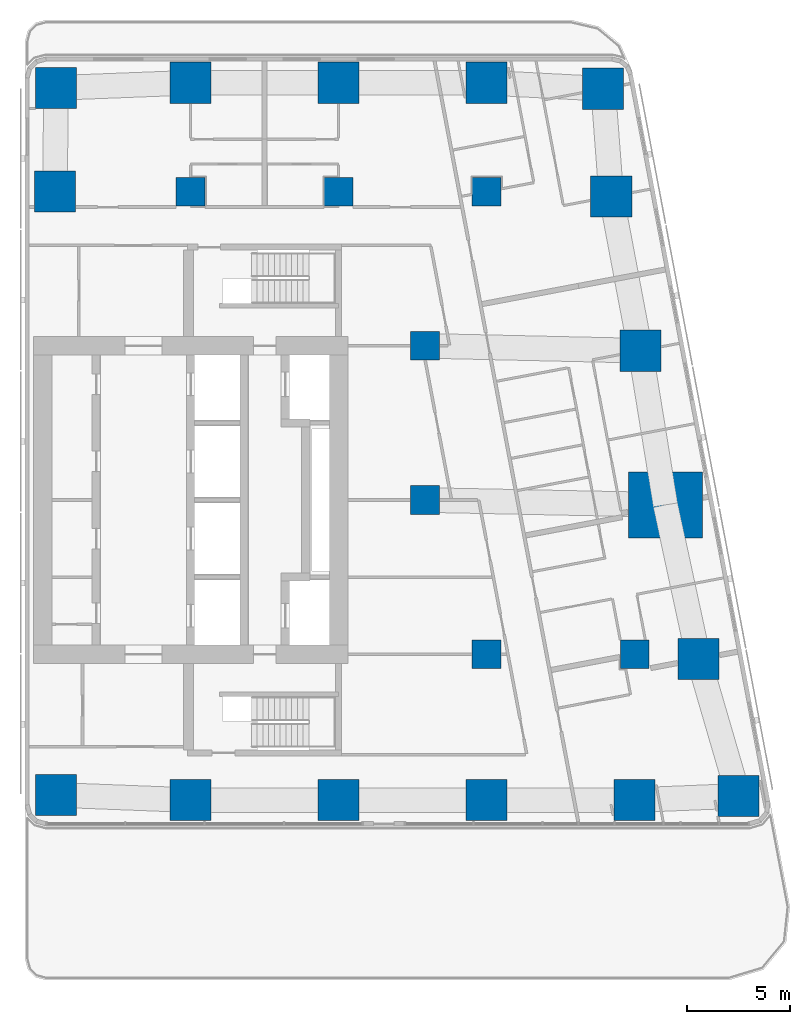
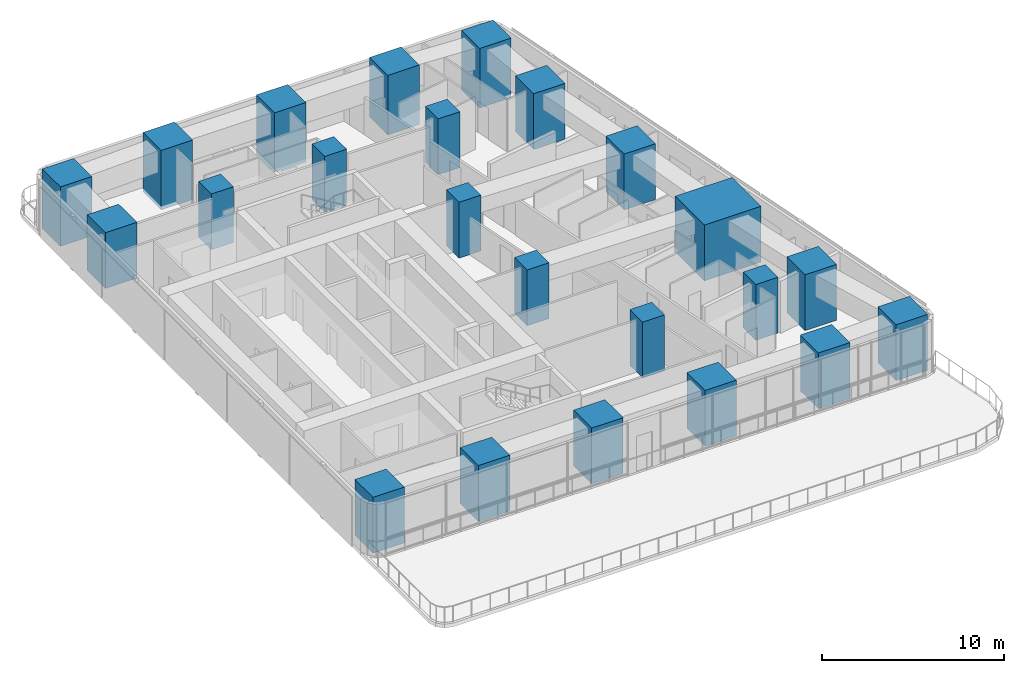
# One storey, part 1 of 12: 23 columns.
"""IFC4 building model written with IfcOpenShell, lengths in metres."""

from ifc_helpers import new_model, si_unit, direction, frame, origin, origin_2d, place, context, subcontext, project, spatial, rectangle, extrude, material, material_profile, profile_set, type_object, element, save


model = new_model("IFC4")

# Units and contexts
model_context = context("Model", 3, precision=1e-05, world=origin(), true_north=direction((0.0, 1.0)))
body_context = subcontext(model_context, "Body", "Model", "MODEL_VIEW")
ifc_project = project(units=[si_unit("LENGTHUNIT", "METRE"), si_unit("AREAUNIT", "SQUARE_METRE"), si_unit("VOLUMEUNIT", "CUBIC_METRE"), si_unit("PLANEANGLEUNIT", "RADIAN"), si_unit("MASSUNIT", "GRAM", prefix="KILO")], contexts=[model_context])

# Site, building, storey
site_placement = place(None, origin())
site = spatial("IfcSite", under=ifc_project, at=site_placement, CompositionType="ELEMENT")
building_placement = place(site_placement, origin())
building = spatial("IfcBuilding", under=site, at=building_placement, Name="Sheger Commons Tower", CompositionType="ELEMENT")
storey_placement = place(building_placement, frame((0.0, 0.0, 251.60009765625)))
storey = spatial("IfcBuildingStorey", under=building, at=storey_placement, Name="L64", CompositionType="ELEMENT", Elevation=251.60009765625)

# Columns
ifc_material_1 = material(Name="Concrete C50/60", Category="concrete")
ifc_material_profile_1 = material_profile(ifc_material_1, rectangle(XDim=3.60009765625, YDim=3.199951171875, at=origin_2d()), Name="RC 3600x3200")
ifc_profile_set_1 = profile_set([ifc_material_profile_1], Name="Concrete C50/60")
column_type_1 = type_object("IfcColumnType", Name="COLUMN PIER RC 3600x3200", PredefinedType="COLUMN", material=ifc_profile_set_1)
column_placement = place(storey_placement, frame((44.697021484375, 22.262939453125, 0.0), z_axis=(0.0, 0.0, 1.0), x_axis=(1.0, 0.0, 0.0)))
element("IfcColumn", 1, at=column_placement, inside=storey, type_object=column_type_1, Name="Pier 7/D+E/D L64", PredefinedType="COLUMN", context=body_context, shape_type="SweptSolid", body=[
    extrude(rectangle(XDim=3.60009765625, YDim=3.199951171875, at=origin_2d()), origin(), (0.0, 0.0, 1.0), 3.75),
])
ifc_material_2 = material(Name="Concrete C50/60", Category="concrete")
ifc_material_profile_2 = material_profile(ifc_material_2, rectangle(XDim=1.39990234375, YDim=1.39990234375, at=origin_2d()), Name="RC 1400x1400")
ifc_profile_set_2 = profile_set([ifc_material_profile_2], Name="Concrete C50/60")
column_type_2 = type_object("IfcColumnType", Name="COLUMN RC 1400x1400", PredefinedType="COLUMN", material=ifc_profile_set_2)
for number, where, z_axis, x_axis, name in (
    (2, (36.0, 15.0, 0.0), (0.0, 0.0, 1.0), (1.0, 0.0, 0.0), "Column 6/C L64"),
    (3, (43.199951171875, 15.0, 0.0), (0.0, 0.0, 1.0), (1.0, 0.0, 0.0), "Column 7/C L64"),
    (4, (33.0, 22.5, 0.0), (0.0, 0.0, 1.0), (1.0, 0.0, 0.0), "Column 6-3000/D L64"),
    (5, (33.0, 30.0, 0.0), (0.0, 0.0, 1.0), (1.0, 0.0, 0.0), "Column 6-3000/E L64"),
    (6, (21.60009765625, 37.5, 0.0), (0.0, 0.0, 1.0), (1.0, 0.0, 0.0), "Column 4/F L64"),
    (7, (28.800048828125, 37.5, 0.0), (0.0, 0.0, 1.0), (1.0, 0.0, 0.0), "Column 5/F L64"),
    (8, (36.0, 37.5, 0.0), (0.0, 0.0, 1.0), (1.0, 0.0, 0.0), "Column 6/F L64"),
):
    element("IfcColumn", number, at=place(storey_placement, frame(where, z_axis=z_axis, x_axis=x_axis)), inside=storey, type_object=column_type_2, Name=name, PredefinedType="COLUMN", context=body_context, shape_type="SweptSolid", body=[
        extrude(rectangle(XDim=1.39990234375, YDim=1.39990234375, at=origin_2d()), origin(), (0.0, 0.0, 1.0), 3.75),
    ])
ifc_material_3 = material(Name="Concrete C50/60", Category="concrete")
ifc_material_profile_3 = material_profile(ifc_material_3, rectangle(XDim=2.0, YDim=2.0, at=origin_2d()), Name="RC 2000x2000")
ifc_profile_set_3 = profile_set([ifc_material_profile_3], Name="Concrete C50/60")
column_type_3 = type_object("IfcColumnType", Name="COLUMN RC 2000x2000", PredefinedType="COLUMN", material=ifc_profile_set_3)
for number, where, z_axis, x_axis, name in (
    (9, (15.053955078125, 8.154052734375, 0.0), (0.0, 0.0, 1.0), (1.0, 0.0, 0.0), "Column 3/B L64"),
    (10, (21.60009765625, 7.89990234375, 0.0), (0.0, 0.0, 1.0), (1.0, 0.0, 0.0), "Column 4/B L64"),
    (11, (28.800048828125, 7.89990234375, 0.0), (0.0, 0.0, 1.0), (1.0, 0.0, 0.0), "Column 5/B L64"),
    (12, (36.0, 7.89990234375, 0.0), (0.0, 0.0, 1.0), (1.0, 0.0, 0.0), "Column 6/B L64"),
    (13, (43.199951171875, 7.89990234375, 0.0), (0.0, 0.0, 1.0), (1.0, 0.0, 0.0), "Column 7/B L64"),
    (14, (48.251953125, 8.10693359375, 0.0), (0.0, 0.0, 1.0), (1.0, 0.0, 0.0), "Column E/B L64"),
    (15, (46.31396484375, 14.762939453125, 0.0), (0.0, 0.0, 1.0), (1.0, 0.0, 0.0), "Column E/C L64"),
    (16, (43.47998046875, 29.762939453125, 0.0), (0.0, 0.0, 1.0), (1.0, 0.0, 0.0), "Column E/E L64"),
    (17, (15.0, 37.5, 0.0), (0.0, 0.0, 1.0), (1.0, 0.0, 0.0), "Column 3/F L64"),
    (18, (42.06396484375, 37.262939453125, 0.0), (0.0, 0.0, 1.0), (1.0, 0.0, 0.0), "Column E/F L64"),
):
    element("IfcColumn", number, at=place(storey_placement, frame(where, z_axis=z_axis, x_axis=x_axis)), inside=storey, type_object=column_type_3, Name=name, PredefinedType="COLUMN", context=body_context, shape_type="SweptSolid", body=[
        extrude(rectangle(XDim=2.0, YDim=2.0, at=origin_2d()), origin(), (0.0, 0.0, 1.0), 3.75),
    ])
for number, where, z_axis, x_axis, name in (
    (19, (15.053955078125, 42.5458984375, -0.25), (0.0, 0.0, 1.0), (1.0, 0.0, 0.0), "Column 3/G-1.8 L64"),
    (20, (21.60009765625, 42.800048828125, -0.25), (0.0, 0.0, 1.0), (1.0, 0.0, 0.0), "Column 4/G-1.8 L64"),
    (21, (28.800048828125, 42.800048828125, -0.25), (0.0, 0.0, 1.0), (1.0, 0.0, 0.0), "Column 5/G-1.8 L64"),
    (22, (36.0, 42.800048828125, -0.25), (0.0, 0.0, 1.0), (1.0, 0.0, 0.0), "Column 6/G-1.8 L64"),
    (23, (41.6669921875, 42.506103515625, -0.25), (0.0, 0.0, 1.0), (1.0, 0.0, 0.0), "Column E/G-1.8 L64"),
):
    element("IfcColumn", number, at=place(storey_placement, frame(where, z_axis=z_axis, x_axis=x_axis)), inside=storey, type_object=column_type_3, Name=name, PredefinedType="COLUMN", context=body_context, shape_type="SweptSolid", body=[
        extrude(rectangle(XDim=2.0, YDim=2.0, at=origin_2d()), origin(), (0.0, 0.0, 1.0), 4.0),
    ])

save(model, "model.ifc")
